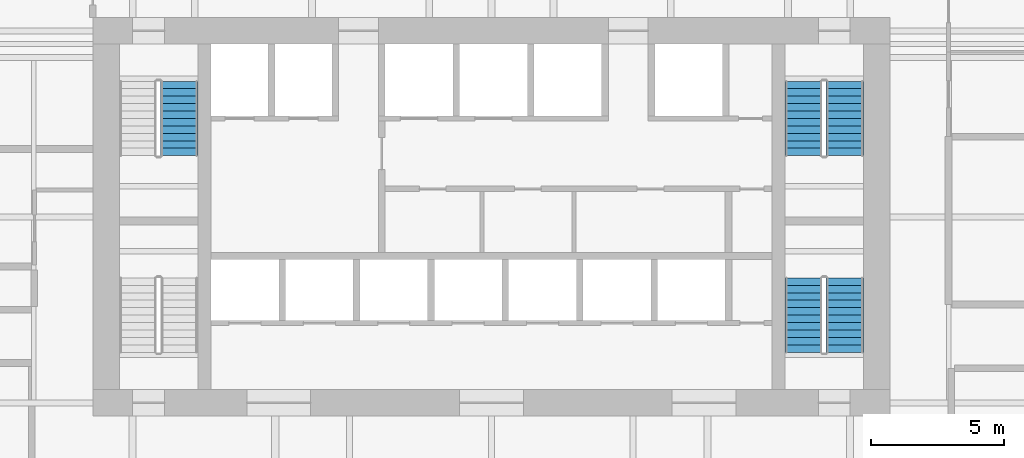
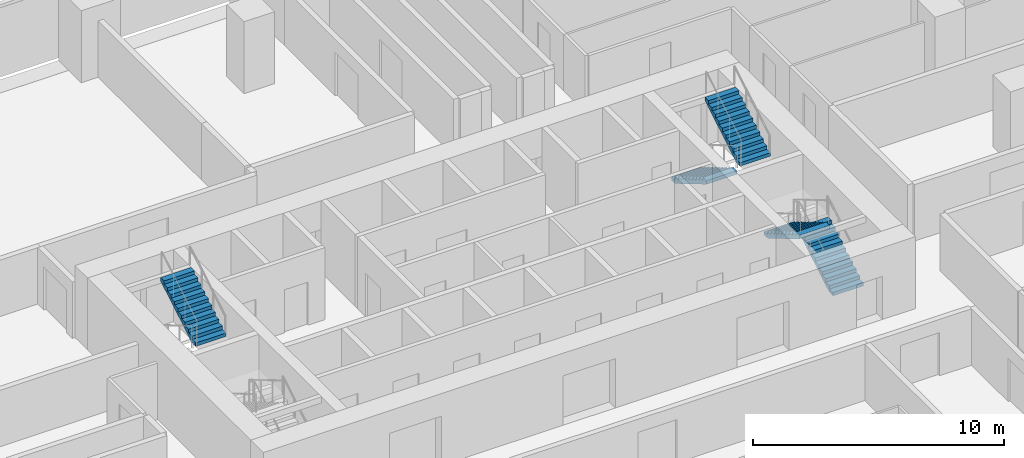
# One storey, part 17 of 21: 5 stair flights, 3 elements without a shape of their own.
"""IFC4 building model written with IfcOpenShell, lengths in metres."""

from ifc_helpers import new_model, si_unit, direction, frame, origin, place, context, subcontext, project, spatial, polyline, outline, extrude, material, type_object, element, aggregate, save


model = new_model("IFC4")

# Units and contexts
model_context = context("Model", 3, precision=1e-05, world=origin(), true_north=direction((0.0, 1.0)))
body_context = subcontext(model_context, "Body", "Model", "MODEL_VIEW")
ifc_project = project(units=[si_unit("LENGTHUNIT", "METRE"), si_unit("AREAUNIT", "SQUARE_METRE"), si_unit("VOLUMEUNIT", "CUBIC_METRE"), si_unit("PLANEANGLEUNIT", "RADIAN"), si_unit("MASSUNIT", "GRAM", prefix="KILO")], contexts=[model_context])

# Site, building, storey
site_placement = place(None, origin())
site = spatial("IfcSite", under=ifc_project, at=site_placement, CompositionType="ELEMENT")
building_placement = place(site_placement, origin())
building = spatial("IfcBuilding", under=site, at=building_placement, Name="Isthmus Gate Tower", CompositionType="ELEMENT")
storey_placement = place(building_placement, frame((0.0, 0.0, 50.60009765625)))
storey = spatial("IfcBuildingStorey", under=building, at=storey_placement, Name="L10", CompositionType="ELEMENT", Elevation=50.60009765625)

# Stair, stair flight
ifc_material_1 = material(Name="Concrete f'c 40 MPa", Category="concrete")
stair_type = type_object("IfcStairType", Name="CORE STAIR 22 RISERS", PredefinedType="HALF_TURN_STAIR", material=ifc_material_1)
stair_1_placement = place(storey_placement, origin())
stair_1 = element("IfcStair", 1, at=stair_1_placement, inside=storey, type_object=stair_type, Name="L10 Exit Stair 1", PredefinedType="HALF_TURN_STAIR")
ifc_material_2 = material(Name="Concrete f'c 40 MPa", Category="concrete")
stair_flight_type = type_object("IfcStairFlightType", Name="STAIR FLIGHT RC 1400", PredefinedType="STRAIGHT", material=ifc_material_2)
stair_flight_1_placement = place(storey_placement, frame((-11.75, 9.800048828125, 1.824951171875), z_axis=(0.0, 0.0, 1.0), x_axis=(0.0, 1.0, 0.0)))
stair_flight_1 = element("IfcStairFlight", 2, at=stair_flight_1_placement, type_object=stair_flight_type, Name="ST1 flight 2", NumberOfRisers=11, NumberOfTreads=10, PredefinedType="STRAIGHT", RiserHeight=0.165909091, TreadLength=0.28, context=body_context, shape_type="SweptSolid", body=[
    extrude(outline(polyline([(0.0, 0.0), (0.0, 0.166015625), (0.280029296875, 0.166015625), (0.280029296875, 0.331787109375), (0.56005859375, 0.331787109375), (0.56005859375, 0.497802734375), (0.840087890625, 0.497802734375), (0.840087890625, 0.66357421875), (1.1201171875, 0.66357421875), (1.1201171875, 0.82958984375), (1.39990234375, 0.82958984375), (1.39990234375, 0.995361328125), (1.679931640625, 0.995361328125), (1.679931640625, 1.161376953125), (1.9599609375, 1.161376953125), (1.9599609375, 1.327392578125), (2.239990234375, 1.327392578125), (2.239990234375, 1.4931640625), (2.52001953125, 1.4931640625), (2.52001953125, 1.6591796875), (2.800048828125, 1.6591796875), (2.800048828125, 1.824951171875), (2.800048828125, 1.48486328125), (0.2939453125, 0.0), (0.0, 0.0)])), frame((0.0, 0.699951171875, 0.0), z_axis=(0.0, -1.0, 0.0), x_axis=(1.0, 0.0, 0.0)), (0.0, 0.0, 1.0), 1.39990234375),
])
aggregate(stair_1, [stair_flight_1])

# Stair, stair flights
stair_2_placement = place(storey_placement, origin())
stair_2 = element("IfcStair", 3, at=stair_2_placement, inside=storey, type_object=stair_type, Name="L10 Exit Stair 2", PredefinedType="HALF_TURN_STAIR")
stair_flight_2_placement = place(storey_placement, frame((11.75, 12.60009765625, 0.0), z_axis=(0.0, 0.0, 1.0), x_axis=(0.0, -1.0, 0.0)))
stair_flight_2 = element("IfcStairFlight", 4, at=stair_flight_2_placement, type_object=stair_flight_type, Name="ST2 flight 1", NumberOfRisers=11, NumberOfTreads=10, PredefinedType="STRAIGHT", RiserHeight=0.165909091, TreadLength=0.28, context=body_context, shape_type="SweptSolid", body=[
    extrude(outline(polyline([(0.0, 0.0), (0.0, 0.166015625), (0.280029296875, 0.166015625), (0.280029296875, 0.331787109375), (0.56005859375, 0.331787109375), (0.56005859375, 0.497802734375), (0.840087890625, 0.497802734375), (0.840087890625, 0.66357421875), (1.1201171875, 0.66357421875), (1.1201171875, 0.82958984375), (1.39990234375, 0.82958984375), (1.39990234375, 0.995361328125), (1.679931640625, 0.995361328125), (1.679931640625, 1.161376953125), (1.9599609375, 1.161376953125), (1.9599609375, 1.327392578125), (2.239990234375, 1.327392578125), (2.239990234375, 1.4931640625), (2.52001953125, 1.4931640625), (2.52001953125, 1.6591796875), (2.800048828125, 1.6591796875), (2.800048828125, 1.824951171875), (2.800048828125, 1.48486328125), (0.2939453125, 0.0), (0.0, 0.0)])), frame((0.0, 0.699951171875, 0.0), z_axis=(0.0, -1.0, 0.0), x_axis=(1.0, 0.0, 0.0)), (0.0, 0.0, 1.0), 1.39990234375),
])
stair_flight_3_placement = place(storey_placement, frame((13.300048828125, 9.800048828125, 1.824951171875), z_axis=(0.0, 0.0, 1.0), x_axis=(0.0, 1.0, 0.0)))
stair_flight_3 = element("IfcStairFlight", 5, at=stair_flight_3_placement, type_object=stair_flight_type, Name="ST2 flight 2", NumberOfRisers=11, NumberOfTreads=10, PredefinedType="STRAIGHT", RiserHeight=0.165909091, TreadLength=0.28, context=body_context, shape_type="SweptSolid", body=[
    extrude(outline(polyline([(0.0, 0.0), (0.0, 0.166015625), (0.280029296875, 0.166015625), (0.280029296875, 0.331787109375), (0.56005859375, 0.331787109375), (0.56005859375, 0.497802734375), (0.840087890625, 0.497802734375), (0.840087890625, 0.66357421875), (1.1201171875, 0.66357421875), (1.1201171875, 0.82958984375), (1.39990234375, 0.82958984375), (1.39990234375, 0.995361328125), (1.679931640625, 0.995361328125), (1.679931640625, 1.161376953125), (1.9599609375, 1.161376953125), (1.9599609375, 1.327392578125), (2.239990234375, 1.327392578125), (2.239990234375, 1.4931640625), (2.52001953125, 1.4931640625), (2.52001953125, 1.6591796875), (2.800048828125, 1.6591796875), (2.800048828125, 1.824951171875), (2.800048828125, 1.48486328125), (0.2939453125, 0.0), (0.0, 0.0)])), frame((0.0, 0.699951171875, 0.0), z_axis=(0.0, -1.0, 0.0), x_axis=(1.0, 0.0, 0.0)), (0.0, 0.0, 1.0), 1.39990234375),
])
aggregate(stair_2, [stair_flight_2, stair_flight_3])

stair_3_placement = place(storey_placement, origin())
stair_3 = element("IfcStair", 6, at=stair_3_placement, inside=storey, type_object=stair_type, Name="L10 Exit Stair 8", PredefinedType="HALF_TURN_STAIR")
stair_flight_4_placement = place(storey_placement, frame((13.300048828125, 2.39990234375, 0.0), z_axis=(0.0, 0.0, 1.0), x_axis=(0.0, 1.0, 0.0)))
stair_flight_4 = element("IfcStairFlight", 7, at=stair_flight_4_placement, type_object=stair_flight_type, Name="ST8 flight 1", NumberOfRisers=11, NumberOfTreads=10, PredefinedType="STRAIGHT", RiserHeight=0.165909091, TreadLength=0.28, context=body_context, shape_type="SweptSolid", body=[
    extrude(outline(polyline([(0.0, 0.0), (0.0, 0.166015625), (0.280029296875, 0.166015625), (0.280029296875, 0.331787109375), (0.56005859375, 0.331787109375), (0.56005859375, 0.497802734375), (0.840087890625, 0.497802734375), (0.840087890625, 0.66357421875), (1.1201171875, 0.66357421875), (1.1201171875, 0.82958984375), (1.39990234375, 0.82958984375), (1.39990234375, 0.995361328125), (1.679931640625, 0.995361328125), (1.679931640625, 1.161376953125), (1.9599609375, 1.161376953125), (1.9599609375, 1.327392578125), (2.239990234375, 1.327392578125), (2.239990234375, 1.4931640625), (2.52001953125, 1.4931640625), (2.52001953125, 1.6591796875), (2.800048828125, 1.6591796875), (2.800048828125, 1.824951171875), (2.800048828125, 1.48486328125), (0.2939453125, 0.0), (0.0, 0.0)])), frame((0.0, 0.699951171875, 0.0), z_axis=(0.0, -1.0, 0.0), x_axis=(1.0, 0.0, 0.0)), (0.0, 0.0, 1.0), 1.39990234375),
])
stair_flight_5_placement = place(storey_placement, frame((11.75, 5.199951171875, 1.824951171875), z_axis=(0.0, 0.0, 1.0), x_axis=(0.0, -1.0, 0.0)))
stair_flight_5 = element("IfcStairFlight", 8, at=stair_flight_5_placement, type_object=stair_flight_type, Name="ST8 flight 2", NumberOfRisers=11, NumberOfTreads=10, PredefinedType="STRAIGHT", RiserHeight=0.165909091, TreadLength=0.28, context=body_context, shape_type="SweptSolid", body=[
    extrude(outline(polyline([(0.0, 0.0), (0.0, 0.166015625), (0.280029296875, 0.166015625), (0.280029296875, 0.331787109375), (0.56005859375, 0.331787109375), (0.56005859375, 0.497802734375), (0.840087890625, 0.497802734375), (0.840087890625, 0.66357421875), (1.1201171875, 0.66357421875), (1.1201171875, 0.82958984375), (1.39990234375, 0.82958984375), (1.39990234375, 0.995361328125), (1.679931640625, 0.995361328125), (1.679931640625, 1.161376953125), (1.9599609375, 1.161376953125), (1.9599609375, 1.327392578125), (2.239990234375, 1.327392578125), (2.239990234375, 1.4931640625), (2.52001953125, 1.4931640625), (2.52001953125, 1.6591796875), (2.800048828125, 1.6591796875), (2.800048828125, 1.824951171875), (2.800048828125, 1.48486328125), (0.2939453125, 0.0), (0.0, 0.0)])), frame((0.0, 0.699951171875, 0.0), z_axis=(0.0, -1.0, 0.0), x_axis=(1.0, 0.0, 0.0)), (0.0, 0.0, 1.0), 1.39990234375),
])
aggregate(stair_3, [stair_flight_4, stair_flight_5])

save(model, "model.ifc")
